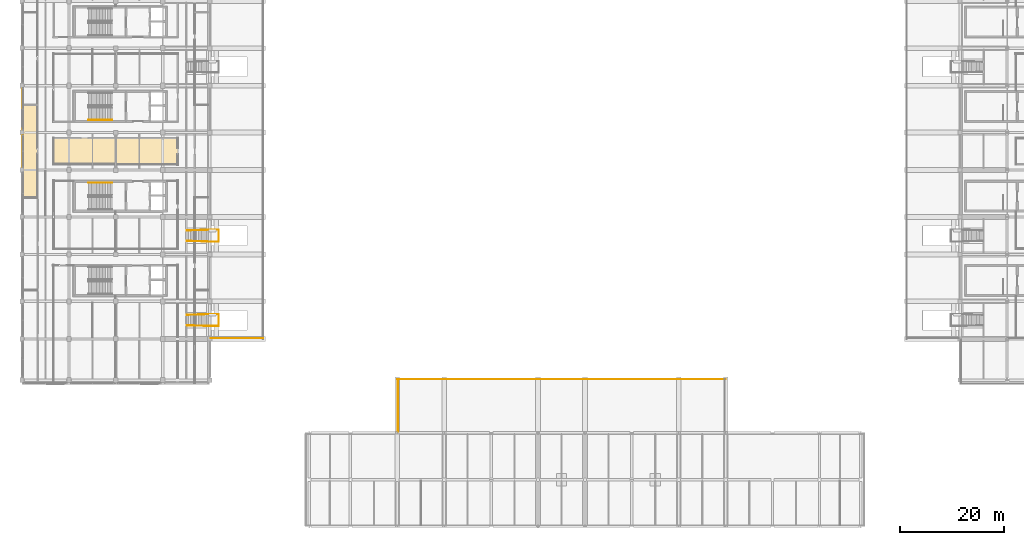
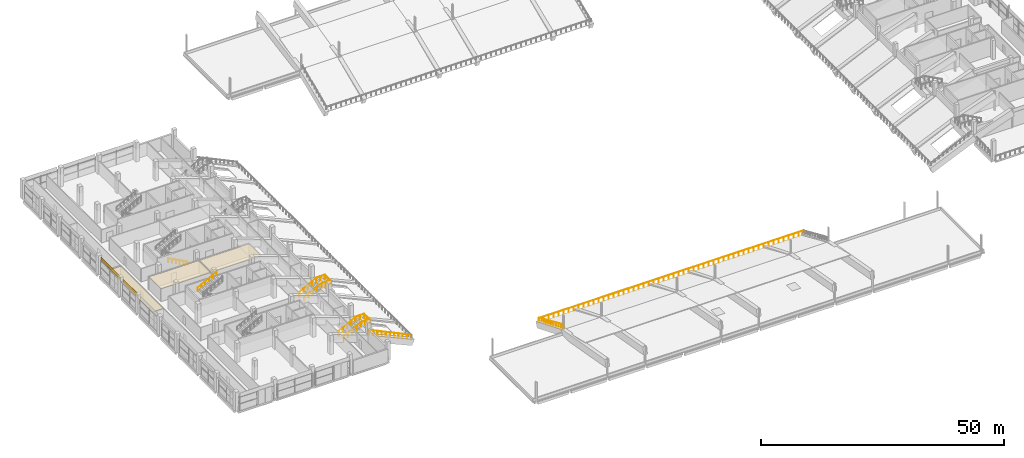
# One storey, part 59 of 66: 7 railings, 5 coverings.
"""IFC4 building model written with IfcOpenShell, lengths in metres."""

from ifc_helpers import new_model, si_unit, direction, frame, origin, origin_2d, place, context, subcontext, project, spatial, polyline, rectangle, circle, outline, extrude, material, layer, layer_set, type_object, element, save


model = new_model("IFC4")

# Units and contexts
model_context = context("Model", 3, precision=1e-05, world=origin(), true_north=direction((0.0, 1.0)))
body_context = subcontext(model_context, "Body", "Model", "MODEL_VIEW")
ifc_project = project(units=[si_unit("LENGTHUNIT", "METRE"), si_unit("AREAUNIT", "SQUARE_METRE"), si_unit("VOLUMEUNIT", "CUBIC_METRE"), si_unit("PLANEANGLEUNIT", "RADIAN"), si_unit("MASSUNIT", "GRAM", prefix="KILO"), si_unit("THERMODYNAMICTEMPERATUREUNIT", "KELVIN"), si_unit("POWERUNIT", "WATT")], contexts=[model_context])

# Site, building, storey
site_placement = place(None, origin())
site = spatial("IfcSite", under=ifc_project, at=site_placement, CompositionType="ELEMENT")
building_placement = place(site_placement, origin())
building = spatial("IfcBuilding", under=site, at=building_placement, Name="Sindhuravela Promenade Stadium", CompositionType="ELEMENT")
storey_placement = place(building_placement, frame((0.0, 0.0, 19.199951171875)))
storey = spatial("IfcBuildingStorey", under=building, at=storey_placement, Name="L04", CompositionType="ELEMENT", Elevation=19.199951171875)

# Coverings
ifc_material_1 = material(Name="Acoustic mineral-fibre ceiling tile", Category="gypsum")
ifc_layer_1 = layer(ifc_material_1, 0.02490234375)
ifc_layer_set_1 = layer_set([ifc_layer_1], Name="Acoustic mineral-fibre ceiling tile")
covering_type_1 = type_object("IfcCoveringType", Name="CV-CEIL-1", PredefinedType="CEILING", material=ifc_layer_set_1)
covering_1_placement = place(storey_placement, frame((0.0, 0.0, 3.050048828125)))
element("IfcCovering", 1, at=covering_1_placement, inside=storey, type_object=covering_type_1, Name="Acoustic ceiling Panorama Supporters Lounge West 3", PredefinedType="CEILING", context=body_context, shape_type="SweptSolid", body=[
    extrude(outline(polyline([(29.860107421875, 83.530029296875), (29.862060546875, 83.52978515625), (29.864013671875, 83.529541015625), (29.86572265625, 83.529052734375), (29.86767578125, 83.528564453125), (29.869384765625, 83.527587890625), (29.87109375, 83.526611328125), (29.872802734375, 83.525390625), (29.8740234375, 83.524169921875), (29.87548828125, 83.522705078125), (29.876708984375, 83.52099609375), (29.877685546875, 83.519287109375), (29.87841796875, 83.517578125), (29.879150390625, 83.515869140625), (29.879638671875, 83.513916015625), (29.8798828125, 83.511962890625), (29.8798828125, 83.510009765625), (29.8798828125, 78.489990234375), (29.8798828125, 78.488037109375), (29.879638671875, 78.486083984375), (29.879150390625, 78.484130859375), (29.87841796875, 78.482421875), (29.877685546875, 78.480712890625), (29.876708984375, 78.47900390625), (29.87548828125, 78.477294921875), (29.8740234375, 78.475830078125), (29.872802734375, 78.474609375), (29.87109375, 78.473388671875), (29.869384765625, 78.472412109375), (29.86767578125, 78.471435546875), (29.86572265625, 78.470947265625), (29.864013671875, 78.470458984375), (29.862060546875, 78.47021484375), (29.860107421875, 78.469970703125), (18.070068359375, 78.469970703125), (18.068115234375, 78.47021484375), (18.066162109375, 78.470458984375), (18.064208984375, 78.470947265625), (18.062255859375, 78.471435546875), (18.060546875, 78.472412109375), (18.058837890625, 78.473388671875), (18.057373046875, 78.474609375), (18.055908203125, 78.475830078125), (18.054443359375, 78.477294921875), (18.053466796875, 78.47900390625), (18.052490234375, 78.480712890625), (18.051513671875, 78.482421875), (18.05078125, 78.484130859375), (18.05029296875, 78.486083984375), (18.050048828125, 78.488037109375), (18.050048828125, 78.489990234375), (18.050048828125, 83.510009765625), (18.050048828125, 83.511962890625), (18.05029296875, 83.513916015625), (18.05078125, 83.515869140625), (18.051513671875, 83.517578125), (18.052490234375, 83.519287109375), (18.053466796875, 83.52099609375), (18.054443359375, 83.522705078125), (18.055908203125, 83.524169921875), (18.057373046875, 83.525390625), (18.058837890625, 83.526611328125), (18.060546875, 83.527587890625), (18.062255859375, 83.528564453125), (18.064208984375, 83.529052734375), (18.066162109375, 83.529541015625), (18.068115234375, 83.52978515625), (18.070068359375, 83.530029296875), (29.860107421875, 83.530029296875)])), origin(), (0.0, 0.0, 1.0), 0.02490234375),
])
ifc_layer_2 = layer(ifc_material_1, 0.044921875)
ifc_layer_set_2 = layer_set([ifc_layer_2], Name="Acoustic mineral-fibre ceiling tile")
covering_type_2 = type_object("IfcCoveringType", Name="CV-CEIL-2", PredefinedType="CEILING", material=ifc_layer_set_2)
covering_2_placement = place(storey_placement, frame((0.0, 0.0, 3.050048828125)))
element("IfcCovering", 2, at=covering_2_placement, inside=storey, type_object=covering_type_2, Name="Acoustic ceiling West Upper Concourse Hall 2", PredefinedType="CEILING", context=body_context, shape_type="SweptSolid", body=[
    extrude(outline(polyline([(6.02001953125, 83.510009765625), (6.02001953125, 83.511962890625), (6.0205078125, 83.513916015625), (6.02099609375, 83.515869140625), (6.021484375, 83.517578125), (6.0224609375, 83.519287109375), (6.0234375, 83.52099609375), (6.0244140625, 83.522705078125), (6.02587890625, 83.524169921875), (6.02734375, 83.525390625), (6.02880859375, 83.526611328125), (6.030517578125, 83.527587890625), (6.0322265625, 83.528564453125), (6.0341796875, 83.529052734375), (6.0361328125, 83.529541015625), (6.0380859375, 83.52978515625), (6.0400390625, 83.530029296875), (17.830078125, 83.530029296875), (17.83203125, 83.52978515625), (17.833984375, 83.529541015625), (17.835693359375, 83.529052734375), (17.837646484375, 83.528564453125), (17.83935546875, 83.527587890625), (17.841064453125, 83.526611328125), (17.8427734375, 83.525390625), (17.843994140625, 83.524169921875), (17.845458984375, 83.522705078125), (17.8466796875, 83.52099609375), (17.84765625, 83.519287109375), (17.848388671875, 83.517578125), (17.84912109375, 83.515869140625), (17.849609375, 83.513916015625), (17.849853515625, 83.511962890625), (17.85009765625, 83.510009765625), (17.85009765625, 78.489990234375), (17.849853515625, 78.488037109375), (17.849609375, 78.486083984375), (17.84912109375, 78.484130859375), (17.848388671875, 78.482421875), (17.84765625, 78.480712890625), (17.8466796875, 78.47900390625), (17.845458984375, 78.477294921875), (17.843994140625, 78.475830078125), (17.8427734375, 78.474609375), (17.841064453125, 78.473388671875), (17.83935546875, 78.472412109375), (17.837646484375, 78.471435546875), (17.835693359375, 78.470947265625), (17.833984375, 78.470458984375), (17.83203125, 78.47021484375), (17.830078125, 78.469970703125), (6.0400390625, 78.469970703125), (6.0380859375, 78.47021484375), (6.0361328125, 78.470458984375), (6.0341796875, 78.470947265625), (6.0322265625, 78.471435546875), (6.030517578125, 78.472412109375), (6.02880859375, 78.473388671875), (6.02734375, 78.474609375), (6.02587890625, 78.475830078125), (6.0244140625, 78.477294921875), (6.0234375, 78.47900390625), (6.0224609375, 78.480712890625), (6.021484375, 78.482421875), (6.02099609375, 78.484130859375), (6.0205078125, 78.486083984375), (6.02001953125, 78.488037109375), (6.02001953125, 78.489990234375), (6.02001953125, 83.510009765625)])), origin(), (0.0, 0.0, 1.0), 0.044921875),
])
covering_3_placement = place(storey_placement, frame((0.0, 0.0, 3.050048828125)))
element("IfcCovering", 3, at=covering_3_placement, inside=storey, type_object=covering_type_2, Name="Acoustic ceiling Public Toilet Block West L04 8", PredefinedType="CEILING", context=body_context, shape_type="SweptSolid", body=[
    extrude(outline(polyline([(2.97998046875, 72.23388671875), (2.97998046875, 72.23193359375), (2.9794921875, 72.22998046875), (2.97900390625, 72.228271484375), (2.978515625, 72.226318359375), (2.9775390625, 72.224609375), (2.9765625, 72.222900390625), (2.9755859375, 72.22119140625), (2.97412109375, 72.219970703125), (2.97265625, 72.218505859375), (2.97119140625, 72.21728515625), (2.969482421875, 72.21630859375), (2.9677734375, 72.215576171875), (2.9658203125, 72.21484375), (2.9638671875, 72.21435546875), (2.9619140625, 72.214111328125), (2.9599609375, 72.214111328125), (0.320068359375, 72.214111328125), (0.318115234375, 72.214111328125), (0.316162109375, 72.21435546875), (0.314208984375, 72.21484375), (0.312255859375, 72.215576171875), (0.310546875, 72.21630859375), (0.308837890625, 72.21728515625), (0.307373046875, 72.218505859375), (0.305908203125, 72.219970703125), (0.304443359375, 72.22119140625), (0.303466796875, 72.222900390625), (0.302490234375, 72.224609375), (0.301513671875, 72.226318359375), (0.30078125, 72.228271484375), (0.30029296875, 72.22998046875), (0.300048828125, 72.23193359375), (0.300048828125, 72.23388671875), (0.300048828125, 89.76611328125), (0.300048828125, 89.76806640625), (0.30029296875, 89.77001953125), (0.30078125, 89.771728515625), (0.301513671875, 89.773681640625), (0.302490234375, 89.775390625), (0.303466796875, 89.777099609375), (0.304443359375, 89.77880859375), (0.305908203125, 89.780029296875), (0.307373046875, 89.781494140625), (0.308837890625, 89.78271484375), (0.310546875, 89.78369140625), (0.312255859375, 89.784423828125), (0.314208984375, 89.78515625), (0.316162109375, 89.78564453125), (0.318115234375, 89.785888671875), (0.320068359375, 89.785888671875), (2.9599609375, 89.785888671875), (2.9619140625, 89.785888671875), (2.9638671875, 89.78564453125), (2.9658203125, 89.78515625), (2.9677734375, 89.784423828125), (2.969482421875, 89.78369140625), (2.97119140625, 89.78271484375), (2.97265625, 89.781494140625), (2.97412109375, 89.780029296875), (2.9755859375, 89.77880859375), (2.9765625, 89.777099609375), (2.9775390625, 89.775390625), (2.978515625, 89.773681640625), (2.97900390625, 89.771728515625), (2.9794921875, 89.77001953125), (2.97998046875, 89.76806640625), (2.97998046875, 89.76611328125), (2.97998046875, 72.23388671875)])), origin(), (0.0, 0.0, 1.0), 0.044921875),
])
ifc_material_2 = material(Name="Polychrome trencadis ceramic mosaic", Category="masonry")
ifc_layer_3 = layer(ifc_material_2, 0.034912109375)
ifc_layer_set_3 = layer_set([ifc_layer_3], Name="Polychrome trencadis ceramic mosaic")
covering_type_3 = type_object("IfcCoveringType", Name="CV-TRENC-1", PredefinedType="CLADDING", material=ifc_layer_set_3)
covering_4_placement = place(storey_placement, frame((0.179931640625, 81.0, 3.55517578125), z_axis=(0.0, 0.0, 1.0), x_axis=(0.0, 1.0, 0.0)))
element("IfcCovering", 4, at=covering_4_placement, inside=storey, type_object=covering_type_3, Name="Trencadis ceramic mosaic spandrel frieze WEST L04-106", PredefinedType="CLADDING", context=body_context, shape_type="SweptSolid", body=[
    extrude(rectangle(XDim=6.070068359375, YDim=0.034912109375, at=origin_2d()), origin(), (0.0, 0.0, 1.0), 0.905029296875),
])
ifc_layer_4 = layer(ifc_material_2, 0.050048828125)
ifc_layer_set_4 = layer_set([ifc_layer_4], Name="Polychrome trencadis ceramic mosaic")
covering_type_4 = type_object("IfcCoveringType", Name="CV-TRENC-2", PredefinedType="CLADDING", material=ifc_layer_set_4)
covering_5_placement = place(storey_placement, frame((0.179931640625, 89.10009765625, 3.55517578125), z_axis=(0.0, 0.0, 1.0), x_axis=(0.0, 1.0, 0.0)))
element("IfcCovering", 5, at=covering_5_placement, inside=storey, type_object=covering_type_4, Name="Trencadis ceramic mosaic spandrel frieze WEST L04-107", PredefinedType="CLADDING", context=body_context, shape_type="SweptSolid", body=[
    extrude(rectangle(XDim=7.8701171875, YDim=0.050048828125, at=origin_2d()), origin(), (0.0, 0.0, 1.0), 0.905029296875),
])

# Railings
ifc_material_3 = material(Name="Architectural wrought steel E350", Category="steel")
railing_type_1 = type_object("IfcRailingType", Name="RL-GRD-1150", PredefinedType="GUARDRAIL", material=ifc_material_3)
railing_1_placement = place(storey_placement, frame((46.25, 45.14990234375, -3.39990234375)))
element("IfcRailing", 6, at=railing_1_placement, inside=storey, type_object=railing_type_1, Name="Stand bowl crowd barrier GR01-106", PredefinedType="GUARDRAIL", context=body_context, shape_type="SweptSolid", body=[
    extrude(circle(Radius=0.02392578125, at=origin_2d()), frame((0.0, 0.0, 1.1259765625), z_axis=(-0.9032775043542898, 0.0, 0.42905681456828765), x_axis=(0.0, -1.0, 0.0)), (0.0, 0.0, 1.0), 11.07080078125),
    extrude(circle(Radius=0.02099609375, at=origin_2d()), origin(), (0.0, 0.0, 1.0), 1.101806640625),
    extrude(circle(Radius=0.02099609375, at=origin_2d()), frame((-1.0, 0.0, 0.47509765625)), (0.0, 0.0, 1.0), 1.101806640625),
    extrude(circle(Radius=0.02099609375, at=origin_2d()), frame((-2.0, 0.0, 0.949951171875)), (0.0, 0.0, 1.0), 1.101806640625),
    extrude(circle(Radius=0.02099609375, at=origin_2d()), frame((-3.0, 0.0, 1.425048828125)), (0.0, 0.0, 1.0), 1.101806640625),
    extrude(circle(Radius=0.02099609375, at=origin_2d()), frame((-4.0, 0.0, 1.89990234375)), (0.0, 0.0, 1.0), 1.101806640625),
    extrude(circle(Radius=0.02099609375, at=origin_2d()), frame((-5.0, 0.0, 2.375)), (0.0, 0.0, 1.0), 1.101806640625),
    extrude(circle(Radius=0.02099609375, at=origin_2d()), frame((-6.0, 0.0, 2.85009765625)), (0.0, 0.0, 1.0), 1.101806640625),
    extrude(circle(Radius=0.02099609375, at=origin_2d()), frame((-7.0, 0.0, 3.324951171875)), (0.0, 0.0, 1.0), 1.101806640625),
    extrude(circle(Radius=0.02099609375, at=origin_2d()), frame((-8.0, 0.0, 3.800048828125)), (0.0, 0.0, 1.0), 1.101806640625),
    extrude(circle(Radius=0.02099609375, at=origin_2d()), frame((-9.0, 0.0, 4.27490234375)), (0.0, 0.0, 1.0), 1.101806640625),
    extrude(circle(Radius=0.02099609375, at=origin_2d()), frame((-10.0, 0.0, 4.75)), (0.0, 0.0, 1.0), 1.101806640625),
])
railing_2_placement = place(storey_placement, frame((72.0, 37.25, -3.39990234375)))
element("IfcRailing", 7, at=railing_2_placement, inside=storey, type_object=railing_type_1, Name="Stand bowl crowd barrier GR01-111", PredefinedType="GUARDRAIL", context=body_context, shape_type="SweptSolid", body=[
    extrude(circle(Radius=0.02392578125, at=origin_2d()), frame((0.0, 0.0, 1.1259765625), z_axis=(1.0, 0.0, 0.0), x_axis=(0.0, 1.0, 0.0)), (0.0, 0.0, 1.0), 63.0),
    extrude(circle(Radius=0.02099609375, at=origin_2d()), origin(), (0.0, 0.0, 1.0), 1.101806640625),
    extrude(circle(Radius=0.02099609375, at=origin_2d()), frame((1.188720703125, 0.0, 0.0)), (0.0, 0.0, 1.0), 1.101806640625),
    extrude(circle(Radius=0.02099609375, at=origin_2d()), frame((2.37744140625, 0.0, 0.0)), (0.0, 0.0, 1.0), 1.101806640625),
    extrude(circle(Radius=0.02099609375, at=origin_2d()), frame((3.56591796875, 0.0, 0.0)), (0.0, 0.0, 1.0), 1.101806640625),
    extrude(circle(Radius=0.02099609375, at=origin_2d()), frame((4.754638671875, 0.0, 0.0)), (0.0, 0.0, 1.0), 1.101806640625),
    extrude(circle(Radius=0.02099609375, at=origin_2d()), frame((5.943359375, 0.0, 0.0)), (0.0, 0.0, 1.0), 1.101806640625),
    extrude(circle(Radius=0.02099609375, at=origin_2d()), frame((7.132080078125, 0.0, 0.0)), (0.0, 0.0, 1.0), 1.101806640625),
    extrude(circle(Radius=0.02099609375, at=origin_2d()), frame((8.32080078125, 0.0, 0.0)), (0.0, 0.0, 1.0), 1.101806640625),
    extrude(circle(Radius=0.02099609375, at=origin_2d()), frame((9.509521484375, 0.0, 0.0)), (0.0, 0.0, 1.0), 1.101806640625),
    extrude(circle(Radius=0.02099609375, at=origin_2d()), frame((10.697998046875, 0.0, 0.0)), (0.0, 0.0, 1.0), 1.101806640625),
    extrude(circle(Radius=0.02099609375, at=origin_2d()), frame((11.88671875, 0.0, 0.0)), (0.0, 0.0, 1.0), 1.101806640625),
    extrude(circle(Radius=0.02099609375, at=origin_2d()), frame((13.075439453125, 0.0, 0.0)), (0.0, 0.0, 1.0), 1.101806640625),
    extrude(circle(Radius=0.02099609375, at=origin_2d()), frame((14.26416015625, 0.0, 0.0)), (0.0, 0.0, 1.0), 1.101806640625),
    extrude(circle(Radius=0.02099609375, at=origin_2d()), frame((15.452880859375, 0.0, 0.0)), (0.0, 0.0, 1.0), 1.101806640625),
    extrude(circle(Radius=0.02099609375, at=origin_2d()), frame((16.6416015625, 0.0, 0.0)), (0.0, 0.0, 1.0), 1.101806640625),
    extrude(circle(Radius=0.02099609375, at=origin_2d()), frame((17.830078125, 0.0, 0.0)), (0.0, 0.0, 1.0), 1.101806640625),
    extrude(circle(Radius=0.02099609375, at=origin_2d()), frame((19.018798828125, 0.0, 0.0)), (0.0, 0.0, 1.0), 1.101806640625),
    extrude(circle(Radius=0.02099609375, at=origin_2d()), frame((20.20751953125, 0.0, 0.0)), (0.0, 0.0, 1.0), 1.101806640625),
    extrude(circle(Radius=0.02099609375, at=origin_2d()), frame((21.396240234375, 0.0, 0.0)), (0.0, 0.0, 1.0), 1.101806640625),
    extrude(circle(Radius=0.02099609375, at=origin_2d()), frame((22.5849609375, 0.0, 0.0)), (0.0, 0.0, 1.0), 1.101806640625),
    extrude(circle(Radius=0.02099609375, at=origin_2d()), frame((23.773681640625, 0.0, 0.0)), (0.0, 0.0, 1.0), 1.101806640625),
    extrude(circle(Radius=0.02099609375, at=origin_2d()), frame((24.962158203125, 0.0, 0.0)), (0.0, 0.0, 1.0), 1.101806640625),
    extrude(circle(Radius=0.02099609375, at=origin_2d()), frame((26.15087890625, 0.0, 0.0)), (0.0, 0.0, 1.0), 1.101806640625),
    extrude(circle(Radius=0.02099609375, at=origin_2d()), frame((27.339599609375, 0.0, 0.0)), (0.0, 0.0, 1.0), 1.101806640625),
    extrude(circle(Radius=0.02099609375, at=origin_2d()), frame((28.5283203125, 0.0, 0.0)), (0.0, 0.0, 1.0), 1.101806640625),
    extrude(circle(Radius=0.02099609375, at=origin_2d()), frame((29.717041015625, 0.0, 0.0)), (0.0, 0.0, 1.0), 1.101806640625),
    extrude(circle(Radius=0.02099609375, at=origin_2d()), frame((30.90576171875, 0.0, 0.0)), (0.0, 0.0, 1.0), 1.101806640625),
    extrude(circle(Radius=0.02099609375, at=origin_2d()), frame((32.09423828125, 0.0, 0.0)), (0.0, 0.0, 1.0), 1.101806640625),
    extrude(circle(Radius=0.02099609375, at=origin_2d()), frame((33.282958984375, 0.0, 0.0)), (0.0, 0.0, 1.0), 1.101806640625),
    extrude(circle(Radius=0.02099609375, at=origin_2d()), frame((34.4716796875, 0.0, 0.0)), (0.0, 0.0, 1.0), 1.101806640625),
    extrude(circle(Radius=0.02099609375, at=origin_2d()), frame((35.660400390625, 0.0, 0.0)), (0.0, 0.0, 1.0), 1.101806640625),
    extrude(circle(Radius=0.02099609375, at=origin_2d()), frame((36.84912109375, 0.0, 0.0)), (0.0, 0.0, 1.0), 1.101806640625),
    extrude(circle(Radius=0.02099609375, at=origin_2d()), frame((38.037841796875, 0.0, 0.0)), (0.0, 0.0, 1.0), 1.101806640625),
    extrude(circle(Radius=0.02099609375, at=origin_2d()), frame((39.226318359375, 0.0, 0.0)), (0.0, 0.0, 1.0), 1.101806640625),
    extrude(circle(Radius=0.02099609375, at=origin_2d()), frame((40.4150390625, 0.0, 0.0)), (0.0, 0.0, 1.0), 1.101806640625),
    extrude(circle(Radius=0.02099609375, at=origin_2d()), frame((41.603759765625, 0.0, 0.0)), (0.0, 0.0, 1.0), 1.101806640625),
    extrude(circle(Radius=0.02099609375, at=origin_2d()), frame((42.79248046875, 0.0, 0.0)), (0.0, 0.0, 1.0), 1.101806640625),
    extrude(circle(Radius=0.02099609375, at=origin_2d()), frame((43.981201171875, 0.0, 0.0)), (0.0, 0.0, 1.0), 1.101806640625),
    extrude(circle(Radius=0.02099609375, at=origin_2d()), frame((45.169921875, 0.0, 0.0)), (0.0, 0.0, 1.0), 1.101806640625),
    extrude(circle(Radius=0.02099609375, at=origin_2d()), frame((46.3583984375, 0.0, 0.0)), (0.0, 0.0, 1.0), 1.101806640625),
    extrude(circle(Radius=0.02099609375, at=origin_2d()), frame((47.547119140625, 0.0, 0.0)), (0.0, 0.0, 1.0), 1.101806640625),
    extrude(circle(Radius=0.02099609375, at=origin_2d()), frame((48.73583984375, 0.0, 0.0)), (0.0, 0.0, 1.0), 1.101806640625),
    extrude(circle(Radius=0.02099609375, at=origin_2d()), frame((49.924560546875, 0.0, 0.0)), (0.0, 0.0, 1.0), 1.101806640625),
    extrude(circle(Radius=0.02099609375, at=origin_2d()), frame((51.11328125, 0.0, 0.0)), (0.0, 0.0, 1.0), 1.101806640625),
    extrude(circle(Radius=0.02099609375, at=origin_2d()), frame((52.302001953125, 0.0, 0.0)), (0.0, 0.0, 1.0), 1.101806640625),
    extrude(circle(Radius=0.02099609375, at=origin_2d()), frame((53.490478515625, 0.0, 0.0)), (0.0, 0.0, 1.0), 1.101806640625),
    extrude(circle(Radius=0.02099609375, at=origin_2d()), frame((54.67919921875, 0.0, 0.0)), (0.0, 0.0, 1.0), 1.101806640625),
    extrude(circle(Radius=0.02099609375, at=origin_2d()), frame((55.867919921875, 0.0, 0.0)), (0.0, 0.0, 1.0), 1.101806640625),
    extrude(circle(Radius=0.02099609375, at=origin_2d()), frame((57.056640625, 0.0, 0.0)), (0.0, 0.0, 1.0), 1.101806640625),
    extrude(circle(Radius=0.02099609375, at=origin_2d()), frame((58.245361328125, 0.0, 0.0)), (0.0, 0.0, 1.0), 1.101806640625),
    extrude(circle(Radius=0.02099609375, at=origin_2d()), frame((59.43408203125, 0.0, 0.0)), (0.0, 0.0, 1.0), 1.101806640625),
    extrude(circle(Radius=0.02099609375, at=origin_2d()), frame((60.62255859375, 0.0, 0.0)), (0.0, 0.0, 1.0), 1.101806640625),
    extrude(circle(Radius=0.02099609375, at=origin_2d()), frame((61.811279296875, 0.0, 0.0)), (0.0, 0.0, 1.0), 1.101806640625),
    extrude(circle(Radius=0.02099609375, at=origin_2d()), frame((63.0, 0.0, 0.0)), (0.0, 0.0, 1.0), 1.101806640625),
])
railing_3_placement = place(storey_placement, frame((72.14990234375, 37.25, -3.39990234375)))
element("IfcRailing", 8, at=railing_3_placement, inside=storey, type_object=railing_type_1, Name="Stand bowl crowd barrier GR01-112", PredefinedType="GUARDRAIL", context=body_context, shape_type="SweptSolid", body=[
    extrude(circle(Radius=0.02392578125, at=origin_2d()), frame((0.0, 0.0, 1.1259765625), z_axis=(0.0, -0.9153183274729262, 0.4027311254325458), x_axis=(1.0, 0.0, 0.0)), (0.0, 0.0, 1.0), 10.925048828125),
    extrude(circle(Radius=0.02099609375, at=origin_2d()), origin(), (0.0, 0.0, 1.0), 1.101806640625),
    extrude(circle(Radius=0.02099609375, at=origin_2d()), frame((0.0, -1.0, 0.43994140625)), (0.0, 0.0, 1.0), 1.101806640625),
    extrude(circle(Radius=0.02099609375, at=origin_2d()), frame((0.0, -2.0, 0.8798828125)), (0.0, 0.0, 1.0), 1.101806640625),
    extrude(circle(Radius=0.02099609375, at=origin_2d()), frame((0.0, -3.0, 1.320068359375)), (0.0, 0.0, 1.0), 1.101806640625),
    extrude(circle(Radius=0.02099609375, at=origin_2d()), frame((0.0, -4.0, 1.760009765625)), (0.0, 0.0, 1.0), 1.101806640625),
    extrude(circle(Radius=0.02099609375, at=origin_2d()), frame((0.0, -5.0, 2.199951171875)), (0.0, 0.0, 1.0), 1.101806640625),
    extrude(circle(Radius=0.02099609375, at=origin_2d()), frame((0.0, -6.0, 2.639892578125)), (0.0, 0.0, 1.0), 1.101806640625),
    extrude(circle(Radius=0.02099609375, at=origin_2d()), frame((0.0, -7.0, 3.079833984375)), (0.0, 0.0, 1.0), 1.101806640625),
    extrude(circle(Radius=0.02099609375, at=origin_2d()), frame((0.0, -8.0, 3.52001953125)), (0.0, 0.0, 1.0), 1.101806640625),
    extrude(circle(Radius=0.02099609375, at=origin_2d()), frame((0.0, -9.0, 3.9599609375)), (0.0, 0.0, 1.0), 1.101806640625),
    extrude(circle(Radius=0.02099609375, at=origin_2d()), frame((0.0, -10.0, 4.39990234375)), (0.0, 0.0, 1.0), 1.101806640625),
])
railing_4_placement = place(storey_placement, frame((31.64990234375, 63.800048828125, 0.0)))
element("IfcRailing", 9, at=railing_4_placement, inside=storey, type_object=railing_type_1, Name="Vomitory VS13 flight & platform guard", PredefinedType="GUARDRAIL", context=body_context, shape_type="SweptSolid", body=[
    extrude(circle(Radius=0.02392578125, at=origin_2d()), frame((0.0, 0.0, 1.1259765625), z_axis=(0.8864493807284547, -0.028622858177031946, 0.4619396360953636), x_axis=(0.032272512505375314, 0.999479106803434, 0.0)), (0.0, 0.0, 1.0), 4.546142578125),
    extrude(circle(Radius=0.02392578125, at=origin_2d()), frame((4.030029296875, -0.130126953125, 3.22607421875), z_axis=(1.0, 0.0, 0.0), x_axis=(0.0, 1.0, 0.0)), (0.0, 0.0, 1.0), 2.070068359375),
    extrude(circle(Radius=0.02392578125, at=origin_2d()), frame((6.10009765625, -0.130126953125, 3.22607421875), z_axis=(0.0, 1.0, 0.0), x_axis=(-1.0, 0.0, 0.0)), (0.0, 0.0, 1.0), 2.260009765625),
    extrude(circle(Radius=0.02392578125, at=origin_2d()), frame((6.10009765625, 2.1298828125, 3.22607421875), z_axis=(-1.0, 0.0, 0.0), x_axis=(0.0, -1.0, 0.0)), (0.0, 0.0, 1.0), 2.070068359375),
    extrude(circle(Radius=0.02392578125, at=origin_2d()), frame((4.030029296875, 2.1298828125, 3.22607421875), z_axis=(-0.8864507420042823, -0.028569200626781255, -0.4619403454728804), x_axis=(0.032212026586737615, -0.9994810580211989, 0.0)), (0.0, 0.0, 1.0), 4.546142578125),
    extrude(circle(Radius=0.02099609375, at=origin_2d()), origin(), (0.0, 0.0, 1.0), 1.101806640625),
    extrude(circle(Radius=0.02099609375, at=origin_2d()), frame((1.007568359375, -0.032470703125, 0.52490234375)), (0.0, 0.0, 1.0), 1.101806640625),
    extrude(circle(Radius=0.02099609375, at=origin_2d()), frame((2.01513671875, -0.06494140625, 1.050048828125)), (0.0, 0.0, 1.0), 1.101806640625),
    extrude(circle(Radius=0.02099609375, at=origin_2d()), frame((3.0224609375, -0.09765625, 1.5751953125)), (0.0, 0.0, 1.0), 1.101806640625),
    extrude(circle(Radius=0.02099609375, at=origin_2d()), frame((4.030029296875, -0.130126953125, 2.10009765625)), (0.0, 0.0, 1.0), 1.101806640625),
    extrude(circle(Radius=0.02099609375, at=origin_2d()), frame((5.06494140625, -0.130126953125, 2.10009765625)), (0.0, 0.0, 1.0), 1.101806640625),
    extrude(circle(Radius=0.02099609375, at=origin_2d()), frame((6.10009765625, -0.130126953125, 2.10009765625)), (0.0, 0.0, 1.0), 1.101806640625),
    extrude(circle(Radius=0.02099609375, at=origin_2d()), frame((6.10009765625, 1.0, 2.10009765625)), (0.0, 0.0, 1.0), 1.101806640625),
    extrude(circle(Radius=0.02099609375, at=origin_2d()), frame((6.10009765625, 2.1298828125, 2.10009765625)), (0.0, 0.0, 1.0), 1.101806640625),
    extrude(circle(Radius=0.02099609375, at=origin_2d()), frame((5.06494140625, 2.1298828125, 2.10009765625)), (0.0, 0.0, 1.0), 1.101806640625),
    extrude(circle(Radius=0.02099609375, at=origin_2d()), frame((4.030029296875, 2.1298828125, 2.10009765625)), (0.0, 0.0, 1.0), 1.101806640625),
    extrude(circle(Radius=0.02099609375, at=origin_2d()), frame((3.0224609375, 2.097412109375, 1.5751953125)), (0.0, 0.0, 1.0), 1.101806640625),
    extrude(circle(Radius=0.02099609375, at=origin_2d()), frame((2.01513671875, 2.06494140625, 1.050048828125)), (0.0, 0.0, 1.0), 1.101806640625),
    extrude(circle(Radius=0.02099609375, at=origin_2d()), frame((1.007568359375, 2.032470703125, 0.52490234375)), (0.0, 0.0, 1.0), 1.101806640625),
    extrude(circle(Radius=0.02099609375, at=origin_2d()), frame((0.0, 2.0, 0.0)), (0.0, 0.0, 1.0), 1.101806640625),
])
railing_5_placement = place(storey_placement, frame((31.64990234375, 47.60009765625, 0.0)))
element("IfcRailing", 10, at=railing_5_placement, inside=storey, type_object=railing_type_1, Name="Vomitory CS01 flight & platform guard", PredefinedType="GUARDRAIL", context=body_context, shape_type="SweptSolid", body=[
    extrude(circle(Radius=0.02392578125, at=origin_2d()), frame((0.0, 0.0, 1.1259765625), z_axis=(0.8864493807284547, -0.028622858177031946, 0.4619396360953636), x_axis=(0.032272512505375314, 0.999479106803434, 0.0)), (0.0, 0.0, 1.0), 4.546142578125),
    extrude(circle(Radius=0.02392578125, at=origin_2d()), frame((4.030029296875, -0.130126953125, 3.22607421875), z_axis=(1.0, 0.0, 0.0), x_axis=(0.0, 1.0, 0.0)), (0.0, 0.0, 1.0), 2.070068359375),
    extrude(circle(Radius=0.02392578125, at=origin_2d()), frame((6.10009765625, -0.130126953125, 3.22607421875), z_axis=(0.0, 1.0, 0.0), x_axis=(-1.0, 0.0, 0.0)), (0.0, 0.0, 1.0), 2.260009765625),
    extrude(circle(Radius=0.02392578125, at=origin_2d()), frame((6.10009765625, 2.1298828125, 3.22607421875), z_axis=(-1.0, 0.0, 0.0), x_axis=(0.0, -1.0, 0.0)), (0.0, 0.0, 1.0), 2.070068359375),
    extrude(circle(Radius=0.02392578125, at=origin_2d()), frame((4.030029296875, 2.1298828125, 3.22607421875), z_axis=(-0.8864507420042823, -0.028569200626781255, -0.4619403454728804), x_axis=(0.032212026586737615, -0.9994810580211989, 0.0)), (0.0, 0.0, 1.0), 4.546142578125),
    extrude(circle(Radius=0.02099609375, at=origin_2d()), origin(), (0.0, 0.0, 1.0), 1.101806640625),
    extrude(circle(Radius=0.02099609375, at=origin_2d()), frame((1.007568359375, -0.032470703125, 0.52490234375)), (0.0, 0.0, 1.0), 1.101806640625),
    extrude(circle(Radius=0.02099609375, at=origin_2d()), frame((2.01513671875, -0.06494140625, 1.050048828125)), (0.0, 0.0, 1.0), 1.101806640625),
    extrude(circle(Radius=0.02099609375, at=origin_2d()), frame((3.0224609375, -0.09765625, 1.5751953125)), (0.0, 0.0, 1.0), 1.101806640625),
    extrude(circle(Radius=0.02099609375, at=origin_2d()), frame((4.030029296875, -0.130126953125, 2.10009765625)), (0.0, 0.0, 1.0), 1.101806640625),
    extrude(circle(Radius=0.02099609375, at=origin_2d()), frame((5.06494140625, -0.130126953125, 2.10009765625)), (0.0, 0.0, 1.0), 1.101806640625),
    extrude(circle(Radius=0.02099609375, at=origin_2d()), frame((6.10009765625, -0.130126953125, 2.10009765625)), (0.0, 0.0, 1.0), 1.101806640625),
    extrude(circle(Radius=0.02099609375, at=origin_2d()), frame((6.10009765625, 1.0, 2.10009765625)), (0.0, 0.0, 1.0), 1.101806640625),
    extrude(circle(Radius=0.02099609375, at=origin_2d()), frame((6.10009765625, 2.1298828125, 2.10009765625)), (0.0, 0.0, 1.0), 1.101806640625),
    extrude(circle(Radius=0.02099609375, at=origin_2d()), frame((5.06494140625, 2.1298828125, 2.10009765625)), (0.0, 0.0, 1.0), 1.101806640625),
    extrude(circle(Radius=0.02099609375, at=origin_2d()), frame((4.030029296875, 2.1298828125, 2.10009765625)), (0.0, 0.0, 1.0), 1.101806640625),
    extrude(circle(Radius=0.02099609375, at=origin_2d()), frame((3.0224609375, 2.097412109375, 1.5751953125)), (0.0, 0.0, 1.0), 1.101806640625),
    extrude(circle(Radius=0.02099609375, at=origin_2d()), frame((2.01513671875, 2.06494140625, 1.050048828125)), (0.0, 0.0, 1.0), 1.101806640625),
    extrude(circle(Radius=0.02099609375, at=origin_2d()), frame((1.007568359375, 2.032470703125, 0.52490234375)), (0.0, 0.0, 1.0), 1.101806640625),
    extrude(circle(Radius=0.02099609375, at=origin_2d()), frame((0.0, 2.0, 0.0)), (0.0, 0.0, 1.0), 1.101806640625),
])
railing_type_2 = type_object("IfcRailingType", Name="RL-HND-920", PredefinedType="HANDRAIL", material=ifc_material_3)
railing_6_placement = place(storey_placement, frame((12.75, 74.97998046875, 2.400146484375)))
element("IfcRailing", 11, at=railing_6_placement, inside=storey, type_object=railing_type_2, Name="Stair ST02 upper wall handrail (L04)", PredefinedType="HANDRAIL", context=body_context, shape_type="SweptSolid", body=[
    extrude(circle(Radius=0.02392578125, at=origin_2d()), frame((0.0, 0.0, 0.89599609375), z_axis=(0.8823608919668723, 0.0, 0.4705733272588083), x_axis=(0.0, 1.0, 0.0)), (0.0, 0.0, 1.0), 5.099853515625),
    extrude(circle(Radius=0.02099609375, at=origin_2d()), origin(), (0.0, 0.0, 1.0), 0.871826171875),
    extrude(circle(Radius=0.02099609375, at=origin_2d()), frame((0.89990234375, 0.0, 0.47998046875)), (0.0, 0.0, 1.0), 0.871826171875),
    extrude(circle(Radius=0.02099609375, at=origin_2d()), frame((1.800048828125, 0.0, 0.9599609375)), (0.0, 0.0, 1.0), 0.871826171875),
    extrude(circle(Radius=0.02099609375, at=origin_2d()), frame((2.699951171875, 0.0, 1.43994140625)), (0.0, 0.0, 1.0), 0.871826171875),
    extrude(circle(Radius=0.02099609375, at=origin_2d()), frame((3.60009765625, 0.0, 1.919921875)), (0.0, 0.0, 1.0), 0.871826171875),
    extrude(circle(Radius=0.02099609375, at=origin_2d()), frame((4.5, 0.0, 2.39990234375)), (0.0, 0.0, 1.0), 0.871826171875),
])
railing_7_placement = place(storey_placement, frame((17.25, 87.02001953125, 0.0)))
element("IfcRailing", 12, at=railing_7_placement, inside=storey, type_object=railing_type_2, Name="Stair ST03 lower wall handrail (L04)", PredefinedType="HANDRAIL", context=body_context, shape_type="SweptSolid", body=[
    extrude(circle(Radius=0.02392578125, at=origin_2d()), frame((0.0, 0.0, 0.89599609375), z_axis=(-0.8823410147872734, 0.0, 0.47061059659145427), x_axis=(0.0, -1.0, 0.0)), (0.0, 0.0, 1.0), 5.10009765625),
    extrude(circle(Radius=0.02099609375, at=origin_2d()), origin(), (0.0, 0.0, 1.0), 0.871826171875),
    extrude(circle(Radius=0.02099609375, at=origin_2d()), frame((-0.89990234375, 0.0, 0.47998046875)), (0.0, 0.0, 1.0), 0.871826171875),
    extrude(circle(Radius=0.02099609375, at=origin_2d()), frame((-1.800048828125, 0.0, 0.9599609375)), (0.0, 0.0, 1.0), 0.871826171875),
    extrude(circle(Radius=0.02099609375, at=origin_2d()), frame((-2.699951171875, 0.0, 1.440185546875)), (0.0, 0.0, 1.0), 0.871826171875),
    extrude(circle(Radius=0.02099609375, at=origin_2d()), frame((-3.60009765625, 0.0, 1.920166015625)), (0.0, 0.0, 1.0), 0.871826171875),
    extrude(circle(Radius=0.02099609375, at=origin_2d()), frame((-4.5, 0.0, 2.400146484375)), (0.0, 0.0, 1.0), 0.871826171875),
])

save(model, "model.ifc")
